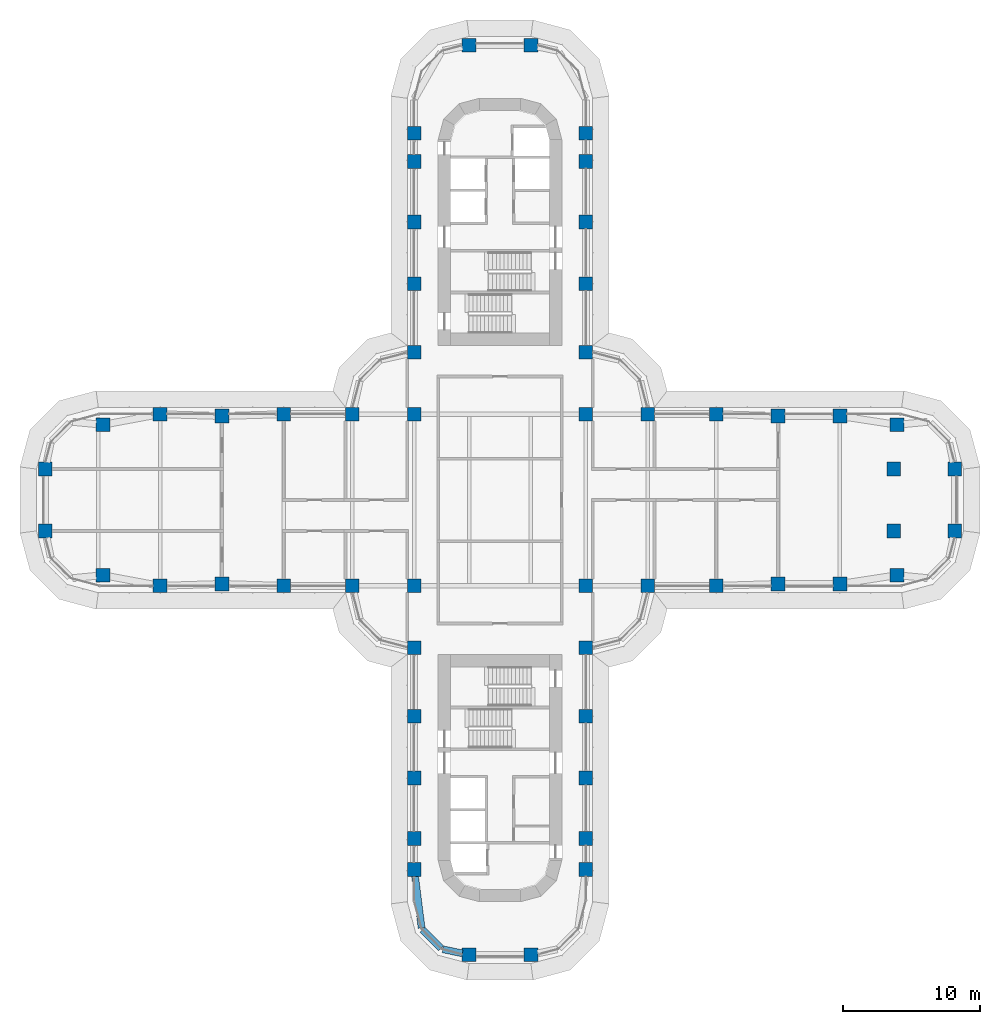
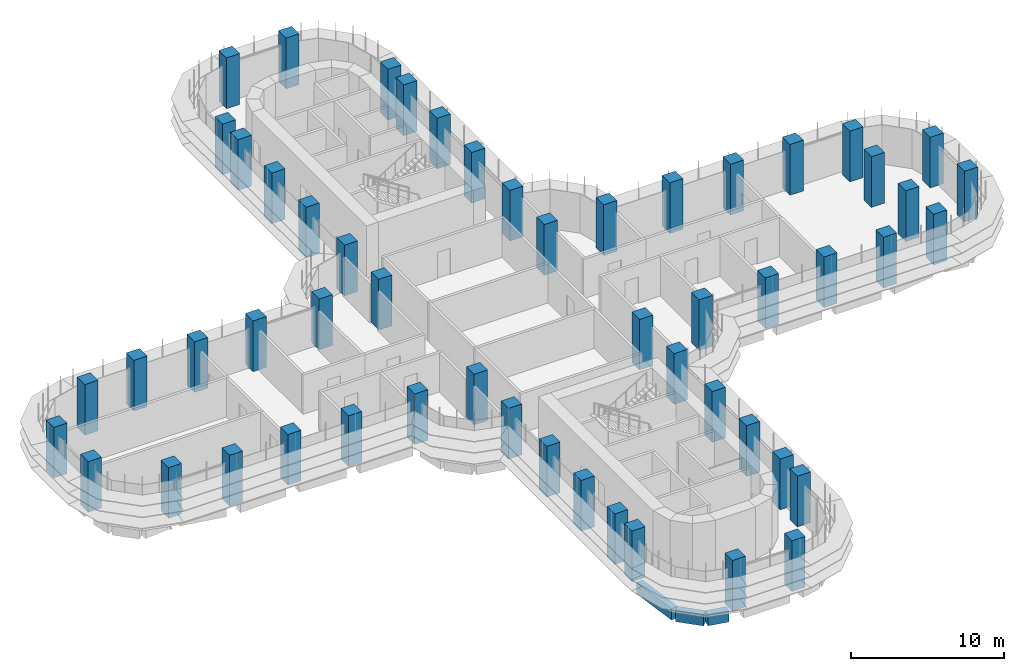
# One storey, part 1 of 23: 54 columns, 3 beams.
"""IFC4 building model written with IfcOpenShell, lengths in metres."""

from ifc_helpers import new_model, si_unit, direction, frame, origin, origin_2d, place, context, subcontext, project, spatial, rectangle, extrude, material, material_profile, profile_set, type_object, element, save


model = new_model("IFC4")

# Units and contexts
model_context = context("Model", 3, precision=1e-05, world=origin(), true_north=direction((0.0, 1.0)))
body_context = subcontext(model_context, "Body", "Model", "MODEL_VIEW")
ifc_project = project(units=[si_unit("LENGTHUNIT", "METRE"), si_unit("AREAUNIT", "SQUARE_METRE"), si_unit("VOLUMEUNIT", "CUBIC_METRE"), si_unit("PLANEANGLEUNIT", "RADIAN"), si_unit("MASSUNIT", "GRAM", prefix="KILO")], contexts=[model_context])

# Site, building, storey
site_placement = place(None, origin())
site = spatial("IfcSite", under=ifc_project, at=site_placement, CompositionType="ELEMENT")
building_placement = place(site_placement, origin())
building = spatial("IfcBuilding", under=site, at=building_placement, Name="Zarbagh Exchange Tower", CompositionType="ELEMENT")
storey_placement = place(building_placement, frame((0.0, 0.0, 31.199951171875)))
storey = spatial("IfcBuildingStorey", under=building, at=storey_placement, Name="L06", CompositionType="ELEMENT", Elevation=31.199951171875)

# Columns
ifc_material = material(Name="Concrete C60/75", Category="concrete")
ifc_material_profile_1 = material_profile(ifc_material, rectangle(XDim=1.0, YDim=1.0, at=origin_2d()), Name="RC column 1000 x 1000 C60/75")
ifc_profile_set_1 = profile_set([ifc_material_profile_1], Name="Concrete C60/75")
column_type = type_object("IfcColumnType", Name="RC column 1000 x 1000 C60/75", PredefinedType="COLUMN", material=ifc_profile_set_1)
for number, where, z_axis, x_axis, name in (
    (1, (-33.110107421875, -2.25, 0.0), (0.0, 0.0, 1.0), (1.0, 0.0, 0.0), "C2 10/S"),
    (2, (-33.110107421875, 2.25, 0.0), (0.0, 0.0, 1.0), (1.0, 0.0, 0.0), "C2 10/T"),
    (3, (-28.907958984375, -5.47509765625, 0.0), (0.0, 0.0, 1.0), (1.0, 0.0, 0.0), "C2 11/R"),
    (4, (-28.907958984375, 5.47509765625, 0.0), (0.0, 0.0, 1.0), (1.0, 0.0, 0.0), "C2 11/U"),
    (5, (-24.75, -6.25, 0.0), (0.0, 0.0, 1.0), (1.0, 0.0, 0.0), "C2 12/R"),
    (6, (-24.75, 6.25, 0.0), (0.0, 0.0, 1.0), (1.0, 0.0, 0.0), "C2 12/U"),
    (7, (-20.25, -6.110107421875, 0.0), (0.0, 0.0, 1.0), (1.0, 0.0, 0.0), "C2 13/R"),
    (8, (-20.25, 6.110107421875, 0.0), (0.0, 0.0, 1.0), (1.0, 0.0, 0.0), "C2 13/U"),
    (9, (-15.75, -6.25, 0.0), (0.0, 0.0, 1.0), (1.0, 0.0, 0.0), "C2 14/R"),
    (10, (-15.75, 6.25, 0.0), (0.0, 0.0, 1.0), (1.0, 0.0, 0.0), "C2 14/U"),
    (11, (-10.75, -6.25, 0.0), (0.0, 0.0, 1.0), (1.0, 0.0, 0.0), "C2 15/R"),
    (12, (-10.75, 6.25, 0.0), (0.0, 0.0, 1.0), (1.0, 0.0, 0.0), "C2 15/U"),
    (13, (-6.25, -26.89990234375, 0.0), (0.0, 0.0, 1.0), (1.0, 0.0, 0.0), "C2 16/L"),
    (14, (-6.25, -24.64990234375, 0.0), (0.0, 0.0, 1.0), (1.0, 0.0, 0.0), "C2 16/M"),
    (15, (-6.25, -20.25, 0.0), (0.0, 0.0, 1.0), (1.0, 0.0, 0.0), "C2 16/N"),
    (16, (-6.25, -15.75, 0.0), (0.0, 0.0, 1.0), (1.0, 0.0, 0.0), "C2 16/P"),
    (17, (-6.25, -10.75, 0.0), (0.0, 0.0, 1.0), (1.0, 0.0, 0.0), "C2 16/Q"),
    (18, (-6.25, -6.25, 0.0), (0.0, 0.0, 1.0), (1.0, 0.0, 0.0), "C2 16/R"),
    (19, (-6.25, 6.25, 0.0), (0.0, 0.0, 1.0), (1.0, 0.0, 0.0), "C2 16/U"),
    (20, (-6.25, 10.75, 0.0), (0.0, 0.0, 1.0), (1.0, 0.0, 0.0), "C2 16/V"),
    (21, (-6.25, 15.75, 0.0), (0.0, 0.0, 1.0), (1.0, 0.0, 0.0), "C2 16/W"),
    (22, (-6.25, 20.25, 0.0), (0.0, 0.0, 1.0), (1.0, 0.0, 0.0), "C2 16/X"),
    (23, (-6.25, 24.64990234375, 0.0), (0.0, 0.0, 1.0), (1.0, 0.0, 0.0), "C2 16/Y"),
    (24, (-6.25, 26.699951171875, 0.0), (0.0, 0.0, 1.0), (1.0, 0.0, 0.0), "C2 16/Z"),
    (25, (-2.25, -33.110107421875, 0.0), (0.0, 0.0, 1.0), (1.0, 0.0, 0.0), "C2 17/K"),
    (26, (-2.25, 33.110107421875, 0.0), (0.0, 0.0, 1.0), (1.0, 0.0, 0.0), "C2 17/AA"),
    (27, (2.25, -33.110107421875, 0.0), (0.0, 0.0, 1.0), (1.0, 0.0, 0.0), "C2 18/K"),
    (28, (2.25, 33.110107421875, 0.0), (0.0, 0.0, 1.0), (1.0, 0.0, 0.0), "C2 18/AA"),
    (29, (6.25, -26.89990234375, 0.0), (0.0, 0.0, 1.0), (1.0, 0.0, 0.0), "C2 19/L"),
    (30, (6.25, -24.64990234375, 0.0), (0.0, 0.0, 1.0), (1.0, 0.0, 0.0), "C2 19/M"),
    (31, (6.25, -20.25, 0.0), (0.0, 0.0, 1.0), (1.0, 0.0, 0.0), "C2 19/N"),
    (32, (6.25, -15.75, 0.0), (0.0, 0.0, 1.0), (1.0, 0.0, 0.0), "C2 19/P"),
    (33, (6.25, -10.75, 0.0), (0.0, 0.0, 1.0), (1.0, 0.0, 0.0), "C2 19/Q"),
    (34, (6.25, -6.25, 0.0), (0.0, 0.0, 1.0), (1.0, 0.0, 0.0), "C2 19/R"),
    (35, (6.25, 6.25, 0.0), (0.0, 0.0, 1.0), (1.0, 0.0, 0.0), "C2 19/U"),
    (36, (6.25, 10.75, 0.0), (0.0, 0.0, 1.0), (1.0, 0.0, 0.0), "C2 19/V"),
    (37, (6.25, 15.75, 0.0), (0.0, 0.0, 1.0), (1.0, 0.0, 0.0), "C2 19/W"),
    (38, (6.25, 20.25, 0.0), (0.0, 0.0, 1.0), (1.0, 0.0, 0.0), "C2 19/X"),
    (39, (6.25, 24.64990234375, 0.0), (0.0, 0.0, 1.0), (1.0, 0.0, 0.0), "C2 19/Y"),
    (40, (6.25, 26.699951171875, 0.0), (0.0, 0.0, 1.0), (1.0, 0.0, 0.0), "C2 19/Z"),
    (41, (10.75, -6.25, 0.0), (0.0, 0.0, 1.0), (1.0, 0.0, 0.0), "C2 20/R"),
    (42, (10.75, 6.25, 0.0), (0.0, 0.0, 1.0), (1.0, 0.0, 0.0), "C2 20/U"),
    (43, (15.75, -6.25, 0.0), (0.0, 0.0, 1.0), (1.0, 0.0, 0.0), "C2 21/R"),
    (44, (15.75, 6.25, 0.0), (0.0, 0.0, 1.0), (1.0, 0.0, 0.0), "C2 21/U"),
    (45, (20.25, -6.110107421875, 0.0), (0.0, 0.0, 1.0), (1.0, 0.0, 0.0), "C2 22/R"),
    (46, (20.25, 6.110107421875, 0.0), (0.0, 0.0, 1.0), (1.0, 0.0, 0.0), "C2 22/U"),
    (47, (24.75, -6.110107421875, 0.0), (0.0, 0.0, 1.0), (1.0, 0.0, 0.0), "C2 23/R"),
    (48, (24.75, 6.110107421875, 0.0), (0.0, 0.0, 1.0), (1.0, 0.0, 0.0), "C2 23/U"),
    (49, (28.907958984375, -5.47509765625, 0.0), (0.0, 0.0, 1.0), (1.0, 0.0, 0.0), "C2 24/R"),
    (50, (28.669921875, -2.25, 0.0), (0.0, 0.0, 1.0), (1.0, 0.0, 0.0), "C2 24/S"),
    (51, (28.669921875, 2.25, 0.0), (0.0, 0.0, 1.0), (1.0, 0.0, 0.0), "C2 24/T"),
    (52, (28.907958984375, 5.47509765625, 0.0), (0.0, 0.0, 1.0), (1.0, 0.0, 0.0), "C2 24/U"),
    (53, (33.110107421875, -2.25, 0.0), (0.0, 0.0, 1.0), (1.0, 0.0, 0.0), "C2 25/S"),
    (54, (33.110107421875, 2.25, 0.0), (0.0, 0.0, 1.0), (1.0, 0.0, 0.0), "C2 25/T"),
):
    element("IfcColumn", number, at=place(storey_placement, frame(where, z_axis=z_axis, x_axis=x_axis)), inside=storey, type_object=column_type, Name=name, PredefinedType="COLUMN", context=body_context, shape_type="SweptSolid", body=[
        extrude(rectangle(XDim=1.0, YDim=1.0, at=origin_2d()), origin(), (0.0, 0.0, 1.0), 4.050048828125),
    ])

# Beams
ifc_material_profile_2 = material_profile(ifc_material, rectangle(XDim=0.5, YDim=0.89990234375, at=origin_2d()), Name="RC spandrel beam 500 x 900 C60/75")
ifc_profile_set_2 = profile_set([ifc_material_profile_2], Name="Concrete C60/75")
beam_type = type_object("IfcBeamType", Name="RC spandrel beam 500 x 900 C60/75", PredefinedType="SPANDREL", material=ifc_profile_set_2)
beam_1_placement = place(storey_placement, frame((-2.73974609375, -33.0087890625, -0.599853515625), z_axis=(-0.9793713725, 0.202068589164, 0.0), x_axis=(-0.202068589164, -0.9793713725, 0.0)))
element("IfcBeam", 55, at=beam_1_placement, inside=storey, type_object=beam_type, Name="RC spandrel beam", PredefinedType="SPANDREL", context=body_context, shape_type="SweptSolid", body=[
    extrude(rectangle(XDim=0.5, YDim=0.89990234375, at=origin_2d()), origin(), (0.0, 0.0, 1.0), 1.458251953125),
])
beam_2_placement = place(storey_placement, frame((-4.294189453125, -32.64599609375, -0.599853515625), z_axis=(-0.707042571718, 0.707170984825, 0.0), x_axis=(-0.707170984825, -0.707042571718, 0.0)))
element("IfcBeam", 56, at=beam_2_placement, inside=storey, type_object=beam_type, Name="RC spandrel beam", PredefinedType="SPANDREL", context=body_context, shape_type="SweptSolid", body=[
    extrude(rectangle(XDim=0.5, YDim=0.89990234375, at=origin_2d()), origin(), (0.0, 0.0, 1.0), 1.901123046875),
])
beam_3_placement = place(storey_placement, frame((-5.709716796875, -31.156494140625, -0.599853515625), z_axis=(-0.12591317752, 0.992041265133, 0.0), x_axis=(-0.992041265133, -0.12591317752, 0.0)))
element("IfcBeam", 57, at=beam_3_placement, inside=storey, type_object=beam_type, Name="RC spandrel beam", PredefinedType="SPANDREL", context=body_context, shape_type="SweptSolid", body=[
    extrude(rectangle(XDim=0.5, YDim=0.89990234375, at=origin_2d()), origin(), (0.0, 0.0, 1.0), 3.790771484375),
])

save(model, "model.ifc")
